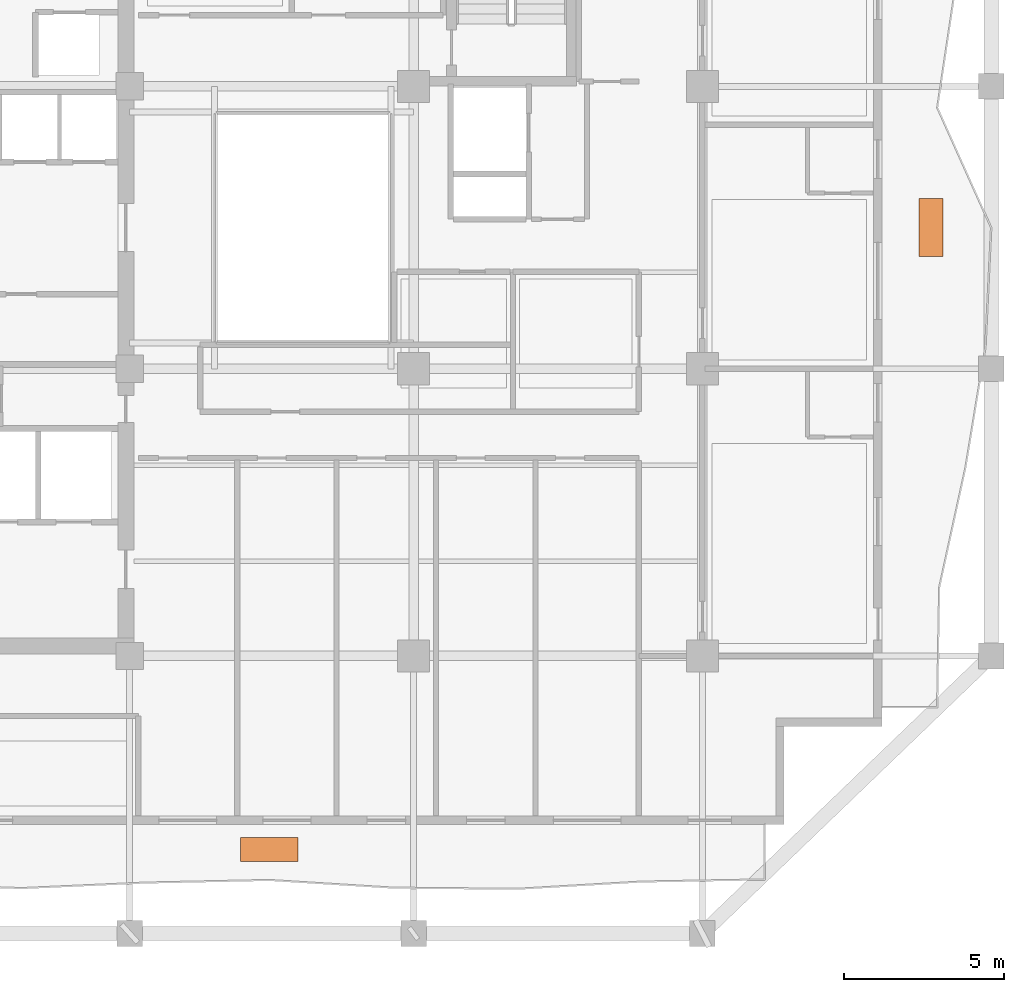
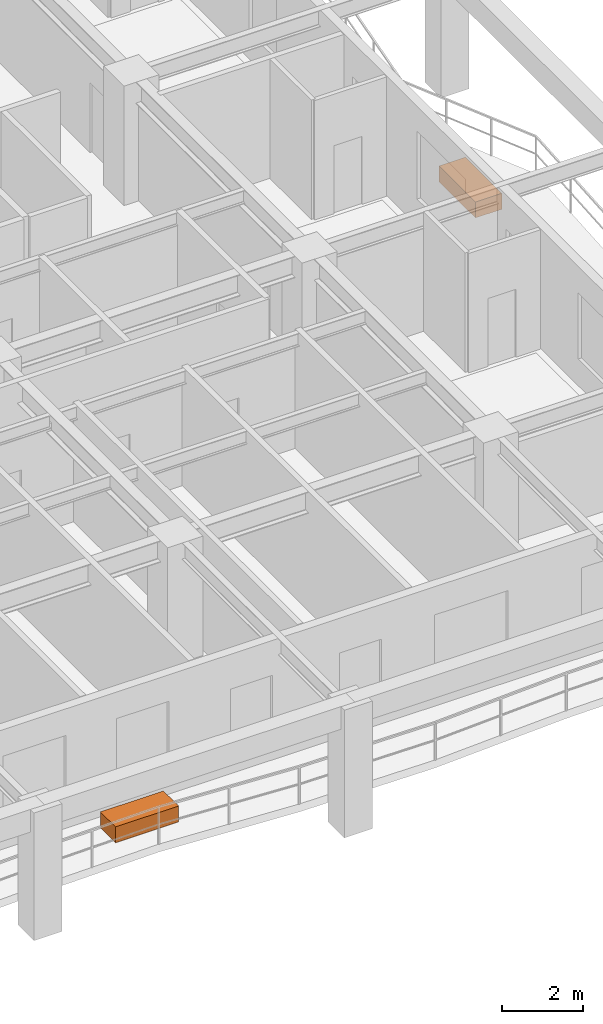
# One storey, part 11 of 11: 2 proxies.
"""IFC4 building model written with IfcOpenShell, lengths in metres."""

from ifc_helpers import new_model, si_unit, direction, frame, origin, origin_2d, place, context, subcontext, project, spatial, rectangle, extrude, material, type_object, element, save


model = new_model("IFC4")

# Units and contexts
model_context = context("Model", 3, precision=1e-05, world=origin(), true_north=direction((0.0, 1.0)))
body_context = subcontext(model_context, "Body", "Model", "MODEL_VIEW")
ifc_project = project(units=[si_unit("LENGTHUNIT", "METRE"), si_unit("AREAUNIT", "SQUARE_METRE"), si_unit("VOLUMEUNIT", "CUBIC_METRE"), si_unit("PLANEANGLEUNIT", "RADIAN"), si_unit("MASSUNIT", "GRAM", prefix="KILO")], contexts=[model_context])

# Site, building, storey
site_placement = place(None, origin())
site = spatial("IfcSite", under=ifc_project, at=site_placement, CompositionType="ELEMENT")
building_placement = place(site_placement, origin())
building = spatial("IfcBuilding", under=site, at=building_placement, Name="Kundavana Baori Tower", CompositionType="ELEMENT")
storey_placement = place(building_placement, frame((0.0, 0.0, 146.35009765625)))
storey = spatial("IfcBuildingStorey", under=building, at=storey_placement, Name="L35", CompositionType="ELEMENT", Elevation=146.35009765625)

# Proxies
ifc_material = material(Name="Red-Buff Dholpur Sandstone Cladding on Concrete C40/50", Category="masonry")
building_element_proxy_type = type_object("IfcBuildingElementProxyType", Name="PRX-PLANTER-1800", PredefinedType="USERDEFINED", material=ifc_material)
for number, where, z_axis, x_axis, name in (
    (1, (29.300048828125, 9.218017578125, 0.0), (0.0, 0.0, 1.0), (1.0, 0.0, 0.0), "L35 Dholpur Stone Structural Tree Planter S"),
    (2, (49.929931640625, 28.60009765625, 0.0), (0.0, 0.0, 1.0), (0.0, 1.0, 0.0), "L35 Dholpur Stone Structural Tree Planter E"),
):
    element("IfcBuildingElementProxy", number, at=place(storey_placement, frame(where, z_axis=z_axis, x_axis=x_axis)), inside=storey, type_object=building_element_proxy_type, Name=name, ObjectType="PLANTER", PredefinedType="USERDEFINED", context=body_context, shape_type="SweptSolid", body=[
        extrude(rectangle(XDim=1.800048828125, YDim=0.75, at=origin_2d()), origin(), (0.0, 0.0, 1.0), 0.47998046875),
    ])

save(model, "model.ifc")
